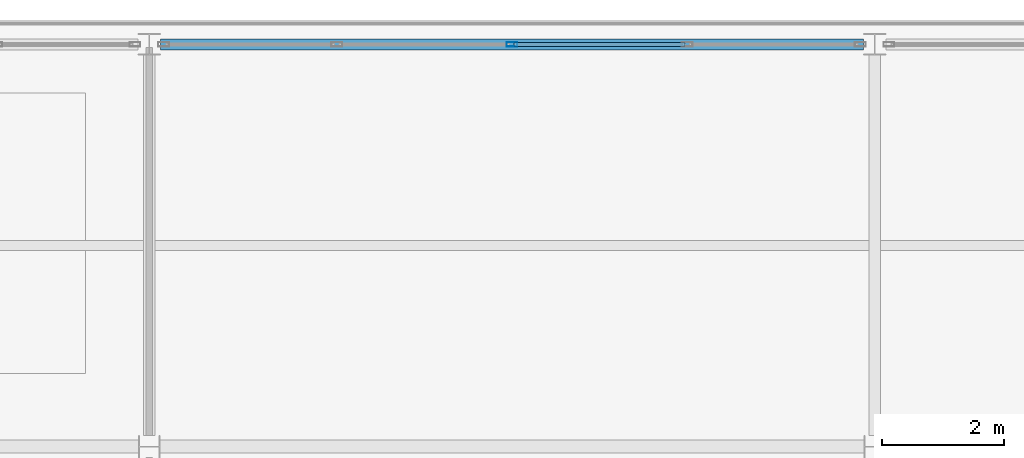
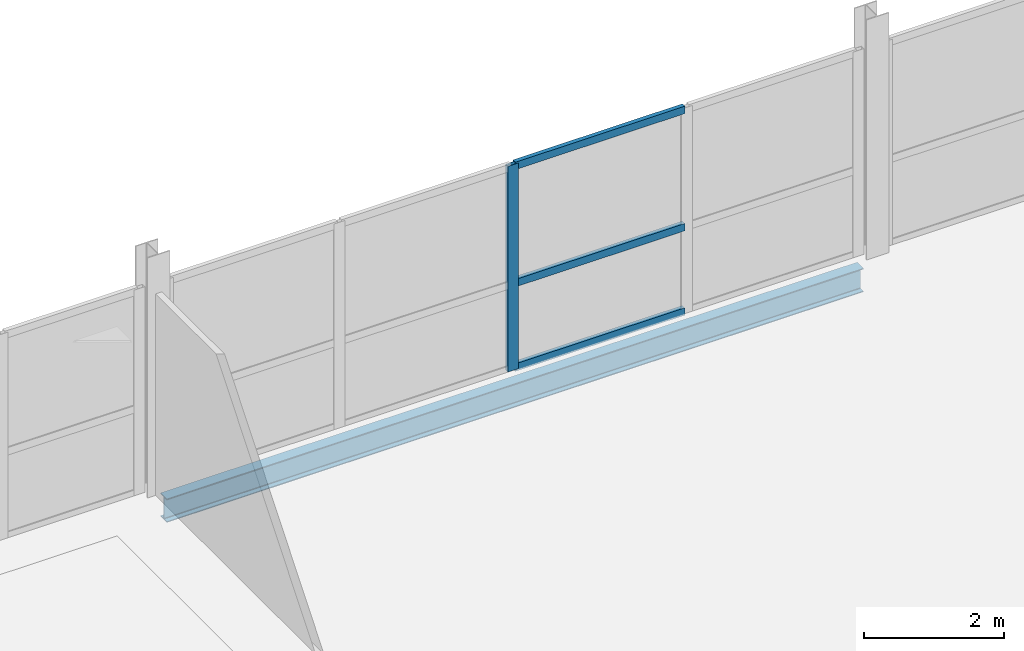
# One storey, part 8 of 17: 4 members, 1 beam, 1 element without a shape of its own.
"""IFC4 building model written with IfcOpenShell, lengths in metres."""

from ifc_helpers import new_model, si_unit, direction, frame, origin, origin_2d, place, context, subcontext, project, spatial, hollow_rectangle, i_section, extrude, material, layer, layer_set, material_profile, profile_set, type_object, element, aggregate, save


model = new_model("IFC4")

# Units and contexts
model_context = context("Model", 3, precision=1e-05, world=origin(), true_north=direction((0.0, 1.0)))
body_context = subcontext(model_context, "Body", "Model", "MODEL_VIEW")
ifc_project = project(units=[si_unit("LENGTHUNIT", "METRE"), si_unit("AREAUNIT", "SQUARE_METRE"), si_unit("VOLUMEUNIT", "CUBIC_METRE"), si_unit("PLANEANGLEUNIT", "RADIAN"), si_unit("MASSUNIT", "GRAM", prefix="KILO")], contexts=[model_context])

# Site, building, storey
site_placement = place(None, origin())
site = spatial("IfcSite", under=ifc_project, at=site_placement, CompositionType="ELEMENT")
building_placement = place(site_placement, origin())
building = spatial("IfcBuilding", under=site, at=building_placement, Name="Quillay Park Conservatory", CompositionType="ELEMENT")
storey_placement = place(building_placement, frame((0.0, 0.0, 51.89990234375)))
storey = spatial("IfcBuildingStorey", under=building, at=storey_placement, Name="L12", CompositionType="ELEMENT", Elevation=51.89990234375)

# Curtain wall, members
ifc_material_1 = material(Name="Thermally Broken Anodised Aluminium 6063-T6", Category="aluminium")
ifc_layer = layer(ifc_material_1, 0.179931640625)
ifc_layer_set = layer_set([ifc_layer], Name="UNITISED CURTAIN WALL TOWER (Thermally Broken Anodised Aluminium 6063-T6)")
curtain_wall_type = type_object("IfcCurtainWallType", Name="UNITISED CURTAIN WALL TOWER", PredefinedType="USERDEFINED", material=ifc_layer_set)
curtain_wall_placement = place(storey_placement, origin())
curtain_wall = element("IfcCurtainWall", 1, at=curtain_wall_placement, inside=storey, type_object=curtain_wall_type, Name="L12 Unitised Curtain Wall 120", ObjectType="UNITISED CURTAIN WALL", PredefinedType="USERDEFINED")
ifc_material_2 = material(Name="Thermally Broken Anodised Aluminium 6063-T6", Category="aluminium")
ifc_material_profile_1 = material_profile(ifc_material_2, hollow_rectangle(XDim=0.070068359375, YDim=0.179931640625, WallThickness=0.00390625, at=origin_2d()), Name="AL70x180x4")
ifc_profile_set_1 = profile_set([ifc_material_profile_1], Name="Thermally Broken Anodised Aluminium 6063-T6")
member_type_1 = type_object("IfcMemberType", Name="CURTAIN WALL MULLION 70 X180", PredefinedType="MULLION", material=ifc_profile_set_1)
member_1_placement = place(storey_placement, frame((13.800048828125, 113.39990234375, 0.0), z_axis=(0.0, 0.0, 1.0), x_axis=(0.0, 1.0, 0.0)))
member_1 = element("IfcMember", 2, at=member_1_placement, type_object=member_type_1, Name="CW-T1 mullion 3", PredefinedType="MULLION", context=body_context, shape_type="SweptSolid", body=[
    extrude(hollow_rectangle(XDim=0.070068359375, YDim=0.179931640625, WallThickness=0.00390625, at=origin_2d()), origin(), (0.0, 0.0, 1.0), 3.59912109375),
])
ifc_material_3 = material(Name="Thermally Broken Anodised Aluminium 6063-T6", Category="aluminium")
ifc_material_profile_2 = material_profile(ifc_material_3, hollow_rectangle(XDim=0.070068359375, YDim=0.1298828125, WallThickness=0.003173828125, at=origin_2d()), Name="AL70x130x3.2")
ifc_profile_set_2 = profile_set([ifc_material_profile_2], Name="Thermally Broken Anodised Aluminium 6063-T6")
member_type_2 = type_object("IfcMemberType", Name="CURTAIN WALL TRANSOM 70 X130", PredefinedType="USERDEFINED", material=ifc_profile_set_2)
member_2_placement = place(storey_placement, frame((13.8349609375, 113.39990234375, 0.03515625), z_axis=(1.0, 0.0, 0.0), x_axis=(0.0, 1.0, 0.0)))
member_2 = element("IfcMember", 3, at=member_2_placement, type_object=member_type_2, Name="CW-T1 transom 3.1", ObjectType="TRANSOM", PredefinedType="USERDEFINED", context=body_context, shape_type="SweptSolid", body=[
    extrude(hollow_rectangle(XDim=0.070068359375, YDim=0.1298828125, WallThickness=0.003173828125, at=origin_2d()), origin(), (0.0, 0.0, 1.0), 2.804931640625),
])
member_3_placement = place(storey_placement, frame((13.8349609375, 113.39990234375, 1.51171875), z_axis=(1.0, 0.0, 0.0), x_axis=(0.0, 1.0, 0.0)))
member_3 = element("IfcMember", 4, at=member_3_placement, type_object=member_type_2, Name="CW-T1 transom 3.2", ObjectType="TRANSOM", PredefinedType="USERDEFINED", context=body_context, shape_type="SweptSolid", body=[
    extrude(hollow_rectangle(XDim=0.070068359375, YDim=0.1298828125, WallThickness=0.003173828125, at=origin_2d()), origin(), (0.0, 0.0, 1.0), 2.804931640625),
])
member_4_placement = place(storey_placement, frame((13.8349609375, 113.39990234375, 3.564208984375), z_axis=(1.0, 0.0, 0.0), x_axis=(0.0, 1.0, 0.0)))
member_4 = element("IfcMember", 5, at=member_4_placement, type_object=member_type_2, Name="CW-T1 transom 3.3", ObjectType="TRANSOM", PredefinedType="USERDEFINED", context=body_context, shape_type="SweptSolid", body=[
    extrude(hollow_rectangle(XDim=0.070068359375, YDim=0.1298828125, WallThickness=0.003173828125, at=origin_2d()), origin(), (0.0, 0.0, 1.0), 2.804931640625),
])
aggregate(curtain_wall, [member_1, member_2, member_3, member_4])

# Beam
ifc_material_4 = material(Name="Steel ASTM A992 Grade 50", Category="steel")
ifc_material_profile_3 = material_profile(ifc_material_4, i_section(OverallWidth=0.179931640625, OverallDepth=0.4130859375, WebThickness=0.009765625, FlangeThickness=0.01611328125, FilletRadius=0.011962890625, at=origin_2d()), Name="W410x74")
ifc_profile_set_3 = profile_set([ifc_material_profile_3], Name="Steel ASTM A992 Grade 50")
beam_type = type_object("IfcBeamType", Name="PERIMETER SPANDREL BEAM W410 X74", PredefinedType="SPANDREL", material=ifc_profile_set_3)
beam_placement = place(storey_placement, frame((8.034423828125, 113.39990234375, -0.406494140625), z_axis=(1.0, 0.0, 0.0), x_axis=(0.0, 1.0, 0.0)))
element("IfcBeam", 6, at=beam_placement, inside=storey, type_object=beam_type, Name="L12 beam BM-SP-0843", PredefinedType="SPANDREL", context=body_context, shape_type="SweptSolid", body=[
    extrude(i_section(OverallWidth=0.179931640625, OverallDepth=0.4130859375, WebThickness=0.009765625, FlangeThickness=0.01611328125, FilletRadius=0.011962890625, at=origin_2d()), origin(), (0.0, 0.0, 1.0), 11.531005859375),
])

save(model, "model.ifc")
